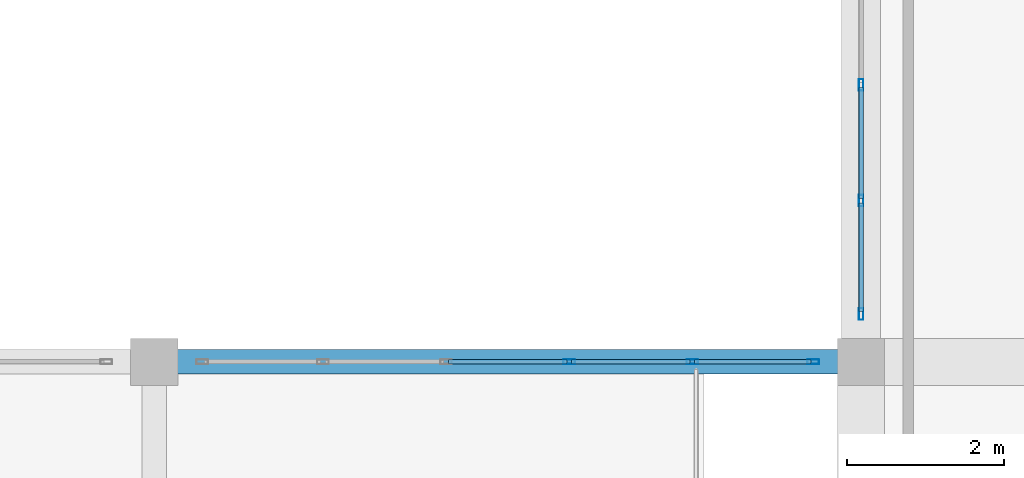
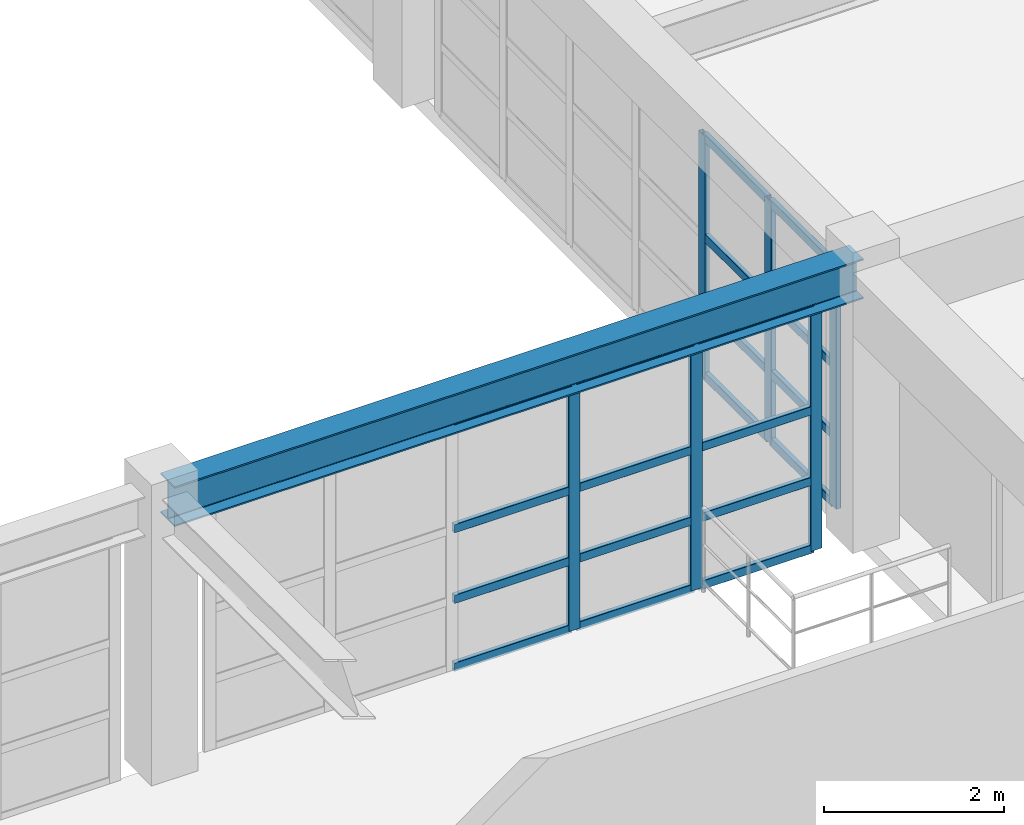
# One storey, part 57 of 110: 26 members, 1 beam, 2 elements without a shape of their own.
"""IFC4 building model written with IfcOpenShell, lengths in metres."""

from ifc_helpers import new_model, si_unit, direction, frame, origin, origin_2d, place, context, subcontext, project, spatial, hollow_rectangle, i_section, extrude, material, material_profile, profile_set, type_object, element, aggregate, save


model = new_model("IFC4")

# Units and contexts
model_context = context("Model", 3, precision=1e-05, world=origin(), true_north=direction((0.0, 1.0)))
body_context = subcontext(model_context, "Body", "Model", "MODEL_VIEW")
ifc_project = project(units=[si_unit("LENGTHUNIT", "METRE"), si_unit("AREAUNIT", "SQUARE_METRE"), si_unit("VOLUMEUNIT", "CUBIC_METRE"), si_unit("PLANEANGLEUNIT", "RADIAN"), si_unit("MASSUNIT", "GRAM", prefix="KILO")], contexts=[model_context])

# Site, building, storey
site_placement = place(None, origin())
site = spatial("IfcSite", under=ifc_project, at=site_placement, CompositionType="ELEMENT")
building_placement = place(site_placement, origin())
building = spatial("IfcBuilding", under=site, at=building_placement, Name="Miravela Opera House", CompositionType="ELEMENT")
storey_placement = place(building_placement, frame((0.0, 0.0, 13.60009765625)))
storey = spatial("IfcBuildingStorey", under=building, at=storey_placement, Name="L03", CompositionType="ELEMENT", Elevation=13.60009765625)

# Curtain wall, members
ifc_material_1 = material(Name="Anodised architectural bronze aluminium 6063-T6", Category="aluminium")
curtain_wall_type = type_object("IfcCurtainWallType", Name="ARC-CW-05", PredefinedType="NOTDEFINED", material=ifc_material_1)
curtain_wall_1_placement = place(storey_placement, origin())
curtain_wall_1 = element("IfcCurtainWall", 1, at=curtain_wall_1_placement, inside=storey, type_object=curtain_wall_type, Name="Courtyard Arcade Curtain Wall CW-L03-107", PredefinedType="NOTDEFINED")
ifc_material_profile_1 = material_profile(ifc_material_1, hollow_rectangle(XDim=0.06005859375, YDim=0.14990234375, WallThickness=0.00390625, InnerFilletRadius=0.001953125, OuterFilletRadius=0.00390625, at=origin_2d()), Name="CWM-60X150")
ifc_profile_set_1 = profile_set([ifc_material_profile_1])
member_type_1 = type_object("IfcMemberType", Name="ARC-CWM-150", PredefinedType="MULLION", material=ifc_profile_set_1)
member_1_placement = place(storey_placement, frame((59.283935546875, 84.0, 0.0), z_axis=(0.0, 0.0, 1.0), x_axis=(0.0, 1.0, 0.0)))
member_1 = element("IfcMember", 2, at=member_1_placement, type_object=member_type_1, Name="CW-05 mullion 4", PredefinedType="MULLION", context=body_context, shape_type="SweptSolid", body=[
    extrude(hollow_rectangle(XDim=0.06005859375, YDim=0.14990234375, WallThickness=0.00390625, InnerFilletRadius=0.001953125, OuterFilletRadius=0.00390625, at=origin_2d()), origin(), (0.0, 0.0, 1.0), 3.289794921875),
])
member_2_placement = place(storey_placement, frame((60.85205078125, 84.0, 0.0), z_axis=(0.0, 0.0, 1.0), x_axis=(0.0, 1.0, 0.0)))
member_2 = element("IfcMember", 3, at=member_2_placement, type_object=member_type_1, Name="CW-05 mullion 5", PredefinedType="MULLION", context=body_context, shape_type="SweptSolid", body=[
    extrude(hollow_rectangle(XDim=0.06005859375, YDim=0.14990234375, WallThickness=0.00390625, InnerFilletRadius=0.001953125, OuterFilletRadius=0.00390625, at=origin_2d()), origin(), (0.0, 0.0, 1.0), 3.289794921875),
])
member_3_placement = place(storey_placement, frame((62.389892578125, 84.0, 0.0), z_axis=(0.0, 0.0, 1.0), x_axis=(0.0, 1.0, 0.0)))
member_3 = element("IfcMember", 4, at=member_3_placement, type_object=member_type_1, Name="CW-05 mullion 6", PredefinedType="MULLION", context=body_context, shape_type="SweptSolid", body=[
    extrude(hollow_rectangle(XDim=0.06005859375, YDim=0.14990234375, WallThickness=0.00390625, InnerFilletRadius=0.001953125, OuterFilletRadius=0.00390625, at=origin_2d()), origin(), (0.0, 0.0, 1.0), 3.289794921875),
])

curtain_wall_2_placement = place(storey_placement, origin())
curtain_wall_2 = element("IfcCurtainWall", 5, at=curtain_wall_2_placement, inside=storey, type_object=curtain_wall_type, Name="Courtyard Arcade Curtain Wall CW-L03-111", PredefinedType="NOTDEFINED")
member_4_placement = place(storey_placement, frame((63.0, 84.610107421875, 0.0), z_axis=(0.0, 0.0, 1.0), x_axis=(-1.0, 0.0, 0.0)))
member_4 = element("IfcMember", 6, at=member_4_placement, type_object=member_type_1, Name="CW-05 mullion 1", PredefinedType="MULLION", context=body_context, shape_type="SweptSolid", body=[
    extrude(hollow_rectangle(XDim=0.06005859375, YDim=0.14990234375, WallThickness=0.00390625, InnerFilletRadius=0.001953125, OuterFilletRadius=0.00390625, at=origin_2d()), origin(), (0.0, 0.0, 1.0), 3.289794921875),
])
member_5_placement = place(storey_placement, frame((63.0, 86.05322265625, 0.0), z_axis=(0.0, 0.0, 1.0), x_axis=(-1.0, 0.0, 0.0)))
member_5 = element("IfcMember", 7, at=member_5_placement, type_object=member_type_1, Name="CW-05 mullion 2", PredefinedType="MULLION", context=body_context, shape_type="SweptSolid", body=[
    extrude(hollow_rectangle(XDim=0.06005859375, YDim=0.14990234375, WallThickness=0.00390625, InnerFilletRadius=0.001953125, OuterFilletRadius=0.00390625, at=origin_2d()), origin(), (0.0, 0.0, 1.0), 3.289794921875),
])
member_6_placement = place(storey_placement, frame((63.0, 87.526611328125, 0.0), z_axis=(0.0, 0.0, 1.0), x_axis=(-1.0, 0.0, 0.0)))
member_6 = element("IfcMember", 8, at=member_6_placement, type_object=member_type_1, Name="CW-05 mullion 3", PredefinedType="MULLION", context=body_context, shape_type="SweptSolid", body=[
    extrude(hollow_rectangle(XDim=0.06005859375, YDim=0.14990234375, WallThickness=0.00390625, InnerFilletRadius=0.001953125, OuterFilletRadius=0.00390625, at=origin_2d()), origin(), (0.0, 0.0, 1.0), 3.289794921875),
])

# Member
ifc_material_profile_2 = material_profile(ifc_material_1, hollow_rectangle(XDim=0.06005859375, YDim=0.114990234375, WallThickness=0.00390625, InnerFilletRadius=0.001953125, OuterFilletRadius=0.00390625, at=origin_2d()), Name="CWT-60X115")
ifc_profile_set_2 = profile_set([ifc_material_profile_2])
member_type_2 = type_object("IfcMemberType", Name="ARC-CWT-115", PredefinedType="USERDEFINED", material=ifc_profile_set_2)
member_7_placement = place(storey_placement, frame((57.74609375, 84.0, 0.02978515625), z_axis=(1.0, 0.0, 0.0), x_axis=(0.0, 1.0, 0.0)))
member_7 = element("IfcMember", 9, at=member_7_placement, type_object=member_type_2, Name="CW-05 transom 3.1", ObjectType="TRANSOM", PredefinedType="USERDEFINED", context=body_context, shape_type="SweptSolid", body=[
    extrude(hollow_rectangle(XDim=0.06005859375, YDim=0.114990234375, WallThickness=0.00390625, InnerFilletRadius=0.001953125, OuterFilletRadius=0.00390625, at=origin_2d()), origin(), (0.0, 0.0, 1.0), 1.5078125),
])

member_8_placement = place(storey_placement, frame((57.74609375, 84.0, 0.949951171875), z_axis=(1.0, 0.0, 0.0), x_axis=(0.0, 1.0, 0.0)))
member_8 = element("IfcMember", 10, at=member_8_placement, type_object=member_type_2, Name="CW-05 transom 3.2", ObjectType="TRANSOM", PredefinedType="USERDEFINED", context=body_context, shape_type="SweptSolid", body=[
    extrude(hollow_rectangle(XDim=0.06005859375, YDim=0.114990234375, WallThickness=0.00390625, InnerFilletRadius=0.001953125, OuterFilletRadius=0.00390625, at=origin_2d()), origin(), (0.0, 0.0, 1.0), 1.5078125),
])

member_9_placement = place(storey_placement, frame((57.74609375, 84.0, 1.908203125), z_axis=(1.0, 0.0, 0.0), x_axis=(0.0, 1.0, 0.0)))
member_9 = element("IfcMember", 11, at=member_9_placement, type_object=member_type_2, Name="CW-05 transom 3.3", ObjectType="TRANSOM", PredefinedType="USERDEFINED", context=body_context, shape_type="SweptSolid", body=[
    extrude(hollow_rectangle(XDim=0.06005859375, YDim=0.114990234375, WallThickness=0.00390625, InnerFilletRadius=0.001953125, OuterFilletRadius=0.00390625, at=origin_2d()), origin(), (0.0, 0.0, 1.0), 1.5078125),
])

member_10_placement = place(storey_placement, frame((57.74609375, 84.0, 3.260009765625), z_axis=(1.0, 0.0, 0.0), x_axis=(0.0, 1.0, 0.0)))
member_10 = element("IfcMember", 12, at=member_10_placement, type_object=member_type_2, Name="CW-05 transom 3.4", ObjectType="TRANSOM", PredefinedType="USERDEFINED", context=body_context, shape_type="SweptSolid", body=[
    extrude(hollow_rectangle(XDim=0.06005859375, YDim=0.114990234375, WallThickness=0.00390625, InnerFilletRadius=0.001953125, OuterFilletRadius=0.00390625, at=origin_2d()), origin(), (0.0, 0.0, 1.0), 1.5078125),
])

member_11_placement = place(storey_placement, frame((59.31396484375, 84.0, 0.02978515625), z_axis=(1.0, 0.0, 0.0), x_axis=(0.0, 1.0, 0.0)))
member_11 = element("IfcMember", 13, at=member_11_placement, type_object=member_type_2, Name="CW-05 transom 4.1", ObjectType="TRANSOM", PredefinedType="USERDEFINED", context=body_context, shape_type="SweptSolid", body=[
    extrude(hollow_rectangle(XDim=0.06005859375, YDim=0.114990234375, WallThickness=0.00390625, InnerFilletRadius=0.001953125, OuterFilletRadius=0.00390625, at=origin_2d()), origin(), (0.0, 0.0, 1.0), 1.508056640625),
])

member_12_placement = place(storey_placement, frame((59.31396484375, 84.0, 0.949951171875), z_axis=(1.0, 0.0, 0.0), x_axis=(0.0, 1.0, 0.0)))
member_12 = element("IfcMember", 14, at=member_12_placement, type_object=member_type_2, Name="CW-05 transom 4.2", ObjectType="TRANSOM", PredefinedType="USERDEFINED", context=body_context, shape_type="SweptSolid", body=[
    extrude(hollow_rectangle(XDim=0.06005859375, YDim=0.114990234375, WallThickness=0.00390625, InnerFilletRadius=0.001953125, OuterFilletRadius=0.00390625, at=origin_2d()), origin(), (0.0, 0.0, 1.0), 1.508056640625),
])

member_13_placement = place(storey_placement, frame((59.31396484375, 84.0, 1.908203125), z_axis=(1.0, 0.0, 0.0), x_axis=(0.0, 1.0, 0.0)))
member_13 = element("IfcMember", 15, at=member_13_placement, type_object=member_type_2, Name="CW-05 transom 4.3", ObjectType="TRANSOM", PredefinedType="USERDEFINED", context=body_context, shape_type="SweptSolid", body=[
    extrude(hollow_rectangle(XDim=0.06005859375, YDim=0.114990234375, WallThickness=0.00390625, InnerFilletRadius=0.001953125, OuterFilletRadius=0.00390625, at=origin_2d()), origin(), (0.0, 0.0, 1.0), 1.508056640625),
])

member_14_placement = place(storey_placement, frame((59.31396484375, 84.0, 3.260009765625), z_axis=(1.0, 0.0, 0.0), x_axis=(0.0, 1.0, 0.0)))
member_14 = element("IfcMember", 16, at=member_14_placement, type_object=member_type_2, Name="CW-05 transom 4.4", ObjectType="TRANSOM", PredefinedType="USERDEFINED", context=body_context, shape_type="SweptSolid", body=[
    extrude(hollow_rectangle(XDim=0.06005859375, YDim=0.114990234375, WallThickness=0.00390625, InnerFilletRadius=0.001953125, OuterFilletRadius=0.00390625, at=origin_2d()), origin(), (0.0, 0.0, 1.0), 1.508056640625),
])

member_15_placement = place(storey_placement, frame((60.882080078125, 84.0, 0.02978515625), z_axis=(1.0, 0.0, 0.0), x_axis=(0.0, 1.0, 0.0)))
member_15 = element("IfcMember", 17, at=member_15_placement, type_object=member_type_2, Name="CW-05 transom 5.1", ObjectType="TRANSOM", PredefinedType="USERDEFINED", context=body_context, shape_type="SweptSolid", body=[
    extrude(hollow_rectangle(XDim=0.06005859375, YDim=0.114990234375, WallThickness=0.00390625, InnerFilletRadius=0.001953125, OuterFilletRadius=0.00390625, at=origin_2d()), origin(), (0.0, 0.0, 1.0), 1.47802734375),
])

member_16_placement = place(storey_placement, frame((60.882080078125, 84.0, 0.949951171875), z_axis=(1.0, 0.0, 0.0), x_axis=(0.0, 1.0, 0.0)))
member_16 = element("IfcMember", 18, at=member_16_placement, type_object=member_type_2, Name="CW-05 transom 5.2", ObjectType="TRANSOM", PredefinedType="USERDEFINED", context=body_context, shape_type="SweptSolid", body=[
    extrude(hollow_rectangle(XDim=0.06005859375, YDim=0.114990234375, WallThickness=0.00390625, InnerFilletRadius=0.001953125, OuterFilletRadius=0.00390625, at=origin_2d()), origin(), (0.0, 0.0, 1.0), 1.47802734375),
])

member_17_placement = place(storey_placement, frame((60.882080078125, 84.0, 1.908203125), z_axis=(1.0, 0.0, 0.0), x_axis=(0.0, 1.0, 0.0)))
member_17 = element("IfcMember", 19, at=member_17_placement, type_object=member_type_2, Name="CW-05 transom 5.3", ObjectType="TRANSOM", PredefinedType="USERDEFINED", context=body_context, shape_type="SweptSolid", body=[
    extrude(hollow_rectangle(XDim=0.06005859375, YDim=0.114990234375, WallThickness=0.00390625, InnerFilletRadius=0.001953125, OuterFilletRadius=0.00390625, at=origin_2d()), origin(), (0.0, 0.0, 1.0), 1.47802734375),
])

member_18_placement = place(storey_placement, frame((60.882080078125, 84.0, 3.260009765625), z_axis=(1.0, 0.0, 0.0), x_axis=(0.0, 1.0, 0.0)))
member_18 = element("IfcMember", 20, at=member_18_placement, type_object=member_type_2, Name="CW-05 transom 5.4", ObjectType="TRANSOM", PredefinedType="USERDEFINED", context=body_context, shape_type="SweptSolid", body=[
    extrude(hollow_rectangle(XDim=0.06005859375, YDim=0.114990234375, WallThickness=0.00390625, InnerFilletRadius=0.001953125, OuterFilletRadius=0.00390625, at=origin_2d()), origin(), (0.0, 0.0, 1.0), 1.47802734375),
])

aggregate(curtain_wall_1, [member_1, member_2, member_3, member_7, member_8, member_9, member_10, member_11, member_12, member_13, member_14, member_15, member_16, member_17, member_18])

member_19_placement = place(storey_placement, frame((63.0, 84.639892578125, 0.02978515625), z_axis=(0.0, 1.0, 0.0), x_axis=(-1.0, 0.0, 0.0)))
member_19 = element("IfcMember", 21, at=member_19_placement, type_object=member_type_2, Name="CW-05 transom 1.1", ObjectType="TRANSOM", PredefinedType="USERDEFINED", context=body_context, shape_type="SweptSolid", body=[
    extrude(hollow_rectangle(XDim=0.06005859375, YDim=0.114990234375, WallThickness=0.00390625, InnerFilletRadius=0.001953125, OuterFilletRadius=0.00390625, at=origin_2d()), origin(), (0.0, 0.0, 1.0), 1.383544921875),
])

member_20_placement = place(storey_placement, frame((63.0, 84.639892578125, 0.949951171875), z_axis=(0.0, 1.0, 0.0), x_axis=(-1.0, 0.0, 0.0)))
member_20 = element("IfcMember", 22, at=member_20_placement, type_object=member_type_2, Name="CW-05 transom 1.2", ObjectType="TRANSOM", PredefinedType="USERDEFINED", context=body_context, shape_type="SweptSolid", body=[
    extrude(hollow_rectangle(XDim=0.06005859375, YDim=0.114990234375, WallThickness=0.00390625, InnerFilletRadius=0.001953125, OuterFilletRadius=0.00390625, at=origin_2d()), origin(), (0.0, 0.0, 1.0), 1.383544921875),
])

member_21_placement = place(storey_placement, frame((63.0, 84.639892578125, 1.908203125), z_axis=(0.0, 1.0, 0.0), x_axis=(-1.0, 0.0, 0.0)))
member_21 = element("IfcMember", 23, at=member_21_placement, type_object=member_type_2, Name="CW-05 transom 1.3", ObjectType="TRANSOM", PredefinedType="USERDEFINED", context=body_context, shape_type="SweptSolid", body=[
    extrude(hollow_rectangle(XDim=0.06005859375, YDim=0.114990234375, WallThickness=0.00390625, InnerFilletRadius=0.001953125, OuterFilletRadius=0.00390625, at=origin_2d()), origin(), (0.0, 0.0, 1.0), 1.383544921875),
])

member_22_placement = place(storey_placement, frame((63.0, 84.639892578125, 3.260009765625), z_axis=(0.0, 1.0, 0.0), x_axis=(-1.0, 0.0, 0.0)))
member_22 = element("IfcMember", 24, at=member_22_placement, type_object=member_type_2, Name="CW-05 transom 1.4", ObjectType="TRANSOM", PredefinedType="USERDEFINED", context=body_context, shape_type="SweptSolid", body=[
    extrude(hollow_rectangle(XDim=0.06005859375, YDim=0.114990234375, WallThickness=0.00390625, InnerFilletRadius=0.001953125, OuterFilletRadius=0.00390625, at=origin_2d()), origin(), (0.0, 0.0, 1.0), 1.383544921875),
])

member_23_placement = place(storey_placement, frame((63.0, 86.083251953125, 0.02978515625), z_axis=(0.0, 1.0, 0.0), x_axis=(-1.0, 0.0, 0.0)))
member_23 = element("IfcMember", 25, at=member_23_placement, type_object=member_type_2, Name="CW-05 transom 2.1", ObjectType="TRANSOM", PredefinedType="USERDEFINED", context=body_context, shape_type="SweptSolid", body=[
    extrude(hollow_rectangle(XDim=0.06005859375, YDim=0.114990234375, WallThickness=0.00390625, InnerFilletRadius=0.001953125, OuterFilletRadius=0.00390625, at=origin_2d()), origin(), (0.0, 0.0, 1.0), 1.413330078125),
])

member_24_placement = place(storey_placement, frame((63.0, 86.083251953125, 0.949951171875), z_axis=(0.0, 1.0, 0.0), x_axis=(-1.0, 0.0, 0.0)))
member_24 = element("IfcMember", 26, at=member_24_placement, type_object=member_type_2, Name="CW-05 transom 2.2", ObjectType="TRANSOM", PredefinedType="USERDEFINED", context=body_context, shape_type="SweptSolid", body=[
    extrude(hollow_rectangle(XDim=0.06005859375, YDim=0.114990234375, WallThickness=0.00390625, InnerFilletRadius=0.001953125, OuterFilletRadius=0.00390625, at=origin_2d()), origin(), (0.0, 0.0, 1.0), 1.413330078125),
])

member_25_placement = place(storey_placement, frame((63.0, 86.083251953125, 1.908203125), z_axis=(0.0, 1.0, 0.0), x_axis=(-1.0, 0.0, 0.0)))
member_25 = element("IfcMember", 27, at=member_25_placement, type_object=member_type_2, Name="CW-05 transom 2.3", ObjectType="TRANSOM", PredefinedType="USERDEFINED", context=body_context, shape_type="SweptSolid", body=[
    extrude(hollow_rectangle(XDim=0.06005859375, YDim=0.114990234375, WallThickness=0.00390625, InnerFilletRadius=0.001953125, OuterFilletRadius=0.00390625, at=origin_2d()), origin(), (0.0, 0.0, 1.0), 1.413330078125),
])

member_26_placement = place(storey_placement, frame((63.0, 86.083251953125, 3.260009765625), z_axis=(0.0, 1.0, 0.0), x_axis=(-1.0, 0.0, 0.0)))
member_26 = element("IfcMember", 28, at=member_26_placement, type_object=member_type_2, Name="CW-05 transom 2.4", ObjectType="TRANSOM", PredefinedType="USERDEFINED", context=body_context, shape_type="SweptSolid", body=[
    extrude(hollow_rectangle(XDim=0.06005859375, YDim=0.114990234375, WallThickness=0.00390625, InnerFilletRadius=0.001953125, OuterFilletRadius=0.00390625, at=origin_2d()), origin(), (0.0, 0.0, 1.0), 1.413330078125),
])

aggregate(curtain_wall_2, [member_4, member_5, member_6, member_19, member_20, member_21, member_22, member_23, member_24, member_25, member_26])

# Beam
ifc_material_2 = material(Name="Structural steel ASTM A992 Gr. 50", Category="steel")
ifc_material_profile_3 = material_profile(ifc_material_2, i_section(OverallWidth=0.31201171875, OverallDepth=0.54296875, WebThickness=0.0126953125, FlangeThickness=0.020263671875, FilletRadius=0.01611328125, at=origin_2d()), Name="W530X150")
ifc_profile_set_3 = profile_set([ifc_material_profile_3])
beam_type = type_object("IfcBeamType", Name="STR-BM-W530X150", PredefinedType="BEAM", material=ifc_profile_set_3)
beam_placement = place(storey_placement, frame((54.080078125, 84.0, 3.568359375), z_axis=(1.0, 0.0, 0.0), x_axis=(0.0, 1.0, 0.0)))
element("IfcBeam", 29, at=beam_placement, inside=storey, type_object=beam_type, Name="Roof Eave Girder ROOF-V3-WEST-S N5", PredefinedType="BEAM", context=body_context, shape_type="SweptSolid", body=[
    extrude(i_section(OverallWidth=0.31201171875, OverallDepth=0.54296875, WebThickness=0.0126953125, FlangeThickness=0.020263671875, FilletRadius=0.01611328125, at=origin_2d()), origin(), (0.0, 0.0, 1.0), 8.83984375),
])

save(model, "model.ifc")
